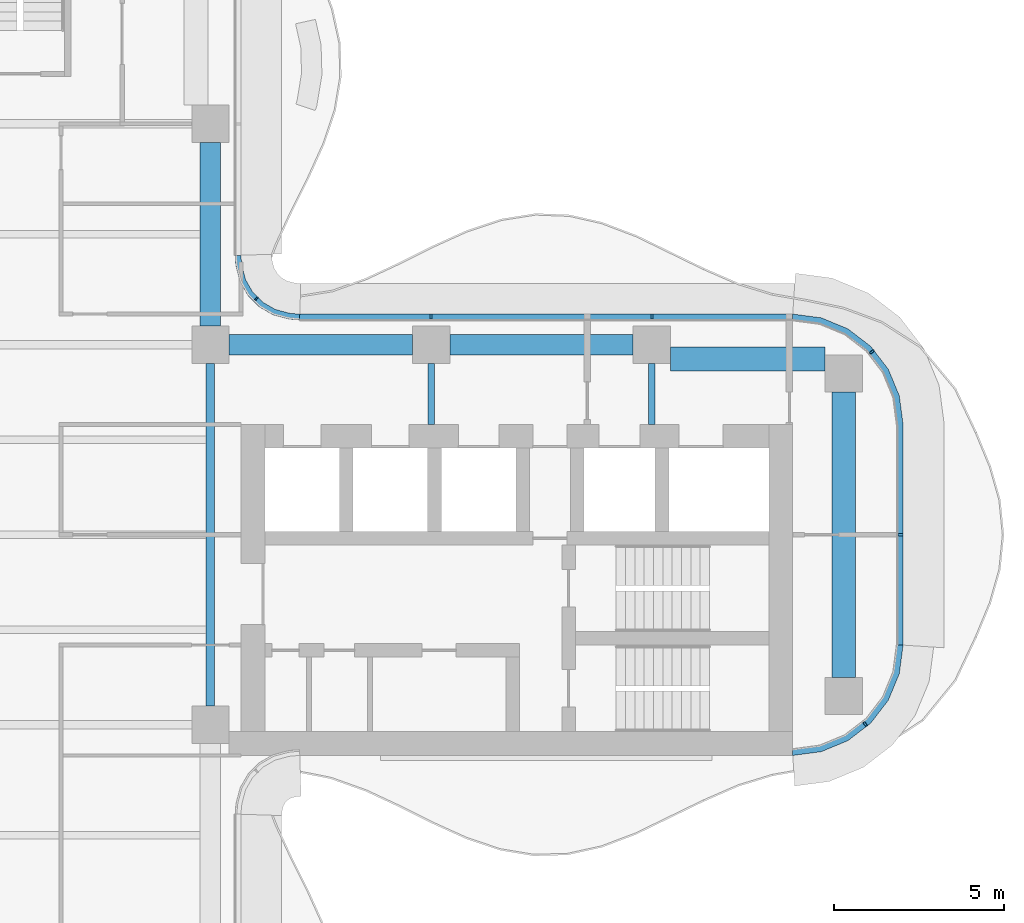
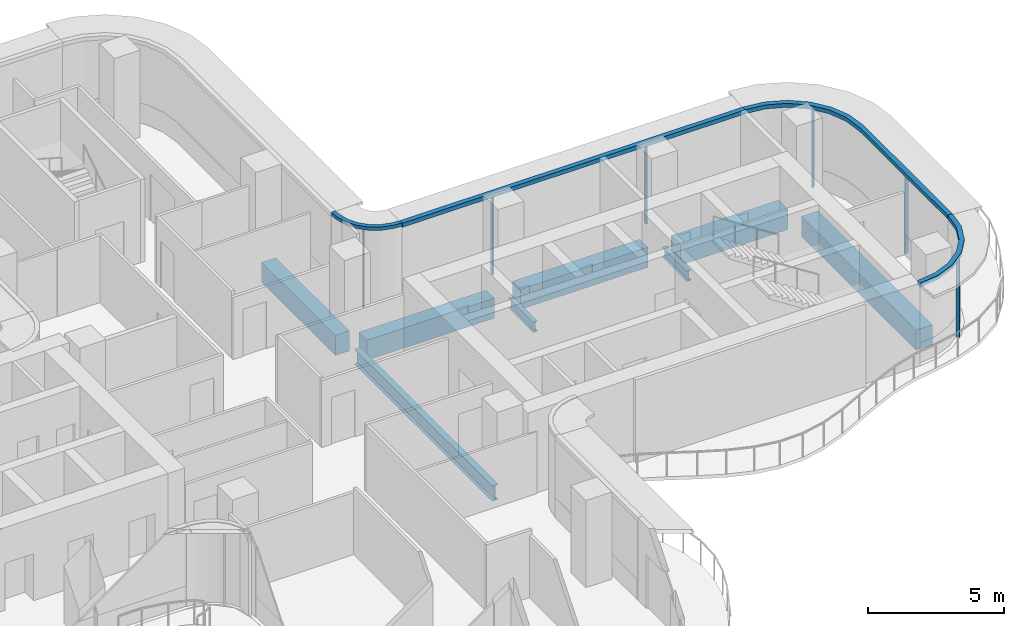
# One storey, part 6 of 16: 10 members, 8 beams, 4 elements without a shape of their own.
"""IFC4 building model written with IfcOpenShell, lengths in metres."""

from ifc_helpers import new_model, si_unit, direction, frame, origin, origin_2d, place, context, subcontext, project, spatial, polyline, rectangle, i_section, outline, extrude, source, transform, mapped, material, layer, layer_set, material_profile, profile_set, type_object, element, aggregate, save


model = new_model("IFC4")

# Units and contexts
model_context = context("Model", 3, precision=1e-05, world=origin(), true_north=direction((0.0, 1.0)))
body_context = subcontext(model_context, "Body", "Model", "MODEL_VIEW")
ifc_project = project(units=[si_unit("LENGTHUNIT", "METRE"), si_unit("AREAUNIT", "SQUARE_METRE"), si_unit("VOLUMEUNIT", "CUBIC_METRE"), si_unit("PLANEANGLEUNIT", "RADIAN"), si_unit("MASSUNIT", "GRAM", prefix="KILO")], contexts=[model_context])

# Site, building, storey
site_placement = place(None, origin())
site = spatial("IfcSite", under=ifc_project, at=site_placement, CompositionType="ELEMENT")
building_placement = place(site_placement, origin())
building = spatial("IfcBuilding", under=site, at=building_placement, Name="Trellis Farm Tower", CompositionType="ELEMENT")
storey_placement = place(building_placement, frame((0.0, 0.0, 251.89990234375)))
storey = spatial("IfcBuildingStorey", under=building, at=storey_placement, Name="L56", CompositionType="ELEMENT", Elevation=251.89990234375)

# Beams
ifc_material_1 = material(Name="Steel S355", Category="steel")
ifc_material_profile_1 = material_profile(ifc_material_1, i_section(OverallWidth=0.253662109375, OverallDepth=0.68359375, WebThickness=0.012451171875, FlangeThickness=0.021728515625, FilletRadius=0.01513671875, at=origin_2d()), Name="UB 686x254x140")
ifc_profile_set_1 = profile_set([ifc_material_profile_1], Name="Steel S355")
beam_type_1 = type_object("IfcBeamType", Name="UB 686x254x140", PredefinedType="BEAM", material=ifc_profile_set_1)
shared_shape_1 = source(origin(), body_context, "Body", "SweptSolid", [
    extrude(i_section(OverallWidth=0.253662109375, OverallDepth=0.68359375, WebThickness=0.012451171875, FlangeThickness=0.021728515625, FilletRadius=0.01513671875, at=origin_2d()), origin(), (0.0, 0.0, 1.0), 10.10009765625),
])
beam_1_placement = place(storey_placement, frame((5.60009765625, -5.050048828125, -0.54150390625), z_axis=(0.0, 1.0, 0.0), x_axis=(-1.0, 0.0, 0.0)))
element("IfcBeam", 1, at=beam_1_placement, inside=storey, type_object=beam_type_1, Name="Girder", PredefinedType="BEAM", context=body_context, shape_type="MappedRepresentation", body=[
    mapped(shared_shape_1, transform((0.0, 0.0, 0.0))),
])
ifc_material_profile_2 = material_profile(ifc_material_1, i_section(OverallWidth=0.1904296875, OverallDepth=0.45703125, WebThickness=0.009033203125, FlangeThickness=0.014404296875, FilletRadius=0.01025390625, at=origin_2d()), Name="UB 457x191x74")
ifc_profile_set_2 = profile_set([ifc_material_profile_2], Name="Steel S355")
beam_type_2 = type_object("IfcBeamType", Name="UB 457x191x74", PredefinedType="BEAM", material=ifc_profile_set_2)
shared_shape_2 = source(origin(), body_context, "Body", "SweptSolid", [
    extrude(i_section(OverallWidth=0.1904296875, OverallDepth=0.45703125, WebThickness=0.009033203125, FlangeThickness=0.014404296875, FilletRadius=0.01025390625, at=origin_2d()), origin(), (0.0, 0.0, 1.0), 1.800048828125),
])
for number, where, z_axis, x_axis, name in (
    (2, (12.10009765625, 3.25, -0.428466796875), (0.0, 1.0, 0.0), (-1.0, 0.0, 0.0), "Girder"),
    (3, (18.60009765625, 3.25, -0.428466796875), (0.0, 1.0, 0.0), (-1.0, 0.0, 0.0), "Girder"),
):
    element("IfcBeam", number, at=place(storey_placement, frame(where, z_axis=z_axis, x_axis=x_axis)), inside=storey, type_object=beam_type_2, Name=name, PredefinedType="BEAM", context=body_context, shape_type="MappedRepresentation", body=[
        mapped(shared_shape_2, transform((0.0, 0.0, 0.0))),
    ])
ifc_material_2 = material(Name="Concrete C60/75", Category="concrete")
ifc_material_profile_3 = material_profile(ifc_material_2, rectangle(XDim=0.60009765625, YDim=0.89990234375, at=origin_2d()), Name="RC spandrel beam 600x900 C60/75")
ifc_profile_set_3 = profile_set([ifc_material_profile_3], Name="Concrete C60/75")
beam_type_3 = type_object("IfcBeamType", Name="RC spandrel beam 600x900 C60/75", PredefinedType="SPANDREL", material=ifc_profile_set_3)
shared_shape_3 = source(origin(), body_context, "Body", "SweptSolid", [
    extrude(rectangle(XDim=0.60009765625, YDim=0.89990234375, at=origin_2d()), origin(), (0.0, 0.0, 1.0), 5.400146484375),
])
for number, where, z_axis, x_axis, name in (
    (4, (6.14990234375, 5.60009765625, -0.64990234375), (1.0, 0.0, 0.0), (0.0, 1.0, 0.0), "Girder"),
    (5, (12.64990234375, 5.60009765625, -0.64990234375), (1.0, 0.0, 0.0), (0.0, 1.0, 0.0), "Girder"),
    (6, (5.60009765625, 6.14990234375, -0.64990234375), (0.0, 1.0, 0.0), (-1.0, 0.0, 0.0), "Girder"),
):
    element("IfcBeam", number, at=place(storey_placement, frame(where, z_axis=z_axis, x_axis=x_axis)), inside=storey, type_object=beam_type_3, Name=name, PredefinedType="SPANDREL", context=body_context, shape_type="MappedRepresentation", body=[
        mapped(shared_shape_3, transform((0.0, 0.0, 0.0))),
    ])
ifc_material_profile_4 = material_profile(ifc_material_2, rectangle(XDim=0.699951171875, YDim=0.89990234375, at=origin_2d()), Name="RC spandrel beam 700x900 C60/75")
ifc_profile_set_4 = profile_set([ifc_material_profile_4], Name="Concrete C60/75")
beam_type_4 = type_object("IfcBeamType", Name="RC spandrel beam 700x900 C60/75", PredefinedType="SPANDREL", material=ifc_profile_set_4)
shared_shape_4 = source(origin(), body_context, "Body", "SweptSolid", [
    extrude(rectangle(XDim=0.699951171875, YDim=0.89990234375, at=origin_2d()), origin(), (0.0, 0.0, 1.0), 8.39990234375),
])
beam_2_placement = place(storey_placement, frame((24.25, -4.199951171875, -0.64990234375), z_axis=(0.0, 1.0, 0.0), x_axis=(-1.0, 0.0, 0.0)))
element("IfcBeam", 7, at=beam_2_placement, inside=storey, type_object=beam_type_4, Name="Girder", PredefinedType="SPANDREL", context=body_context, shape_type="MappedRepresentation", body=[
    mapped(shared_shape_4, transform((0.0, 0.0, 0.0))),
])
shared_shape_5 = source(origin(), body_context, "Body", "SweptSolid", [
    extrude(rectangle(XDim=0.699951171875, YDim=0.89990234375, at=origin_2d()), origin(), (0.0, 0.0, 1.0), 4.550048828125),
])
beam_3_placement = place(storey_placement, frame((19.14990234375, 5.175048828125, -0.64990234375), z_axis=(1.0, 0.0, 0.0), x_axis=(0.0, 1.0, 0.0)))
element("IfcBeam", 8, at=beam_3_placement, inside=storey, type_object=beam_type_4, Name="Girder", PredefinedType="SPANDREL", context=body_context, shape_type="MappedRepresentation", body=[
    mapped(shared_shape_5, transform((0.0, 0.0, 0.0))),
])

# Curtain wall, member
ifc_material_3 = material(Name="Aluminium and glass curtain wall", Category="aluminium")
ifc_layer_1 = layer(ifc_material_3, 0.18994140625)
ifc_layer_set_1 = layer_set([ifc_layer_1], Name="RIBBON CURTAIN WALL CW1")
curtain_wall_type_1 = type_object("IfcCurtainWallType", Name="RIBBON CURTAIN WALL CW1", PredefinedType="NOTDEFINED", material=ifc_layer_set_1)
placement_1 = place(storey_placement, origin())
curtain_wall_1 = element("IfcCurtainWall", 9, at=placement_1, inside=storey, type_object=curtain_wall_type_1, Name="CW1 006", PredefinedType="NOTDEFINED")
ifc_material_4 = material(Name="Aluminium extrusion 6063-T6", Category="aluminium")
ifc_material_profile_5 = material_profile(ifc_material_4, rectangle(XDim=0.06005859375, YDim=0.14990234375, at=origin_2d()), Name="MULLION 60x150")
ifc_profile_set_5 = profile_set([ifc_material_profile_5], Name="Aluminium extrusion 6063-T6")
member_type_1 = type_object("IfcMemberType", Name="CW1 MULLION 60x150", PredefinedType="MULLION", material=ifc_profile_set_5)
shared_shape_6 = source(origin(), body_context, "Body", "SweptSolid", [
    extrude(rectangle(XDim=0.06005859375, YDim=0.14990234375, at=origin_2d()), origin(), (0.0, 0.0, 1.0), 3.52001953125),
])
member_1_placement = place(storey_placement, frame((24.885498046875, -5.578369140625, 0.0), z_axis=(0.0, 0.0, 1.0), x_axis=(0.793353340291, 0.608761429009, 0.0)))
member_1 = element("IfcMember", 10, at=member_1_placement, type_object=member_type_1, Name="MU1 006-01", PredefinedType="MULLION", context=body_context, shape_type="MappedRepresentation", body=[
    mapped(shared_shape_6, transform((0.0, 0.0, 0.0))),
])

# Curtain wall, members
curtain_wall_2 = element("IfcCurtainWall", 11, at=placement_1, inside=storey, type_object=curtain_wall_type_1, Name="CW1 007", PredefinedType="NOTDEFINED")
member_2_placement = place(storey_placement, frame((25.925048828125, 0.0, 0.0), z_axis=(0.0, 0.0, 1.0), x_axis=(0.0, 1.0, 0.0)))
member_2 = element("IfcMember", 12, at=member_2_placement, type_object=member_type_1, Name="MU1 007-01", PredefinedType="MULLION", context=body_context, shape_type="MappedRepresentation", body=[
    mapped(shared_shape_6, transform((0.0, 0.0, 0.0))),
])
member_3_placement = place(storey_placement, frame((25.078369140625, 5.385498046875, 0.0), z_axis=(0.0, 0.0, 1.0), x_axis=(-0.608761429009, 0.793353340291, 0.0)))
member_3 = element("IfcMember", 13, at=member_3_placement, type_object=member_type_1, Name="MU1 007-02", PredefinedType="MULLION", context=body_context, shape_type="MappedRepresentation", body=[
    mapped(shared_shape_6, transform((0.0, 0.0, 0.0))),
])

curtain_wall_3 = element("IfcCurtainWall", 14, at=placement_1, inside=storey, type_object=curtain_wall_type_1, Name="CW1 008", PredefinedType="NOTDEFINED")
member_4_placement = place(storey_placement, frame((18.60009765625, 6.425048828125, 0.0), z_axis=(0.0, 0.0, 1.0), x_axis=(-1.0, 0.0, 0.0)))
member_4 = element("IfcMember", 15, at=member_4_placement, type_object=member_type_1, Name="MU1 008-01", PredefinedType="MULLION", context=body_context, shape_type="MappedRepresentation", body=[
    mapped(shared_shape_6, transform((0.0, 0.0, 0.0))),
])
member_5_placement = place(storey_placement, frame((12.10009765625, 6.425048828125, 0.0), z_axis=(0.0, 0.0, 1.0), x_axis=(-1.0, 0.0, 0.0)))
member_5 = element("IfcMember", 16, at=member_5_placement, type_object=member_type_1, Name="MU1 008-02", PredefinedType="MULLION", context=body_context, shape_type="MappedRepresentation", body=[
    mapped(shared_shape_6, transform((0.0, 0.0, 0.0))),
])

ifc_layer_2 = layer(ifc_material_3, 0.166015625)
ifc_layer_set_2 = layer_set([ifc_layer_2], Name="WINTER GARDEN CURTAIN WALL CW3")
curtain_wall_type_2 = type_object("IfcCurtainWallType", Name="WINTER GARDEN CURTAIN WALL CW3", PredefinedType="NOTDEFINED", material=ifc_layer_set_2)
curtain_wall_4 = element("IfcCurtainWall", 17, at=placement_1, inside=storey, type_object=curtain_wall_type_2, Name="CW3 003", PredefinedType="NOTDEFINED")
ifc_material_profile_6 = material_profile(ifc_material_4, rectangle(XDim=0.050048828125, YDim=0.1201171875, at=origin_2d()), Name="MULLION 50x120")
ifc_profile_set_6 = profile_set([ifc_material_profile_6], Name="Aluminium extrusion 6063-T6")
member_type_2 = type_object("IfcMemberType", Name="CW3 MULLION 50x120", PredefinedType="MULLION", material=ifc_profile_set_6)
shared_shape_7 = source(origin(), body_context, "Body", "SweptSolid", [
    extrude(rectangle(XDim=0.050048828125, YDim=0.1201171875, at=origin_2d()), origin(), (0.0, 0.0, 1.0), 3.550048828125),
])
member_6_placement = place(storey_placement, frame((6.953125, 6.953125, 0.0), z_axis=(0.0, 0.0, 1.0), x_axis=(-0.707106781187, 0.707106781187, 0.0)))
member_6 = element("IfcMember", 18, at=member_6_placement, type_object=member_type_2, Name="MU3 003-01", PredefinedType="MULLION", context=body_context, shape_type="MappedRepresentation", body=[
    mapped(shared_shape_7, transform((0.0, 0.0, 0.0))),
])
ifc_layer_3 = layer(ifc_material_4, 0.169921875)
ifc_layer_set_3 = layer_set([ifc_layer_3], Name="Aluminium extrusion 6063-T6")
member_type_3 = type_object("IfcMemberType", Name="CW3 TRANSOM 170x150", PredefinedType="USERDEFINED", material=ifc_layer_set_3)
shared_shape_8 = source(origin(), body_context, "Body", "SweptSolid", [
    extrude(outline(polyline([(8.2314453125, 6.5), (8.01953125, 6.513916015625), (7.91552734375, 6.527587890625), (7.508544921875, 6.63671875), (7.144287109375, 6.846923828125), (6.846923828125, 7.144287109375), (6.63671875, 7.508544921875), (6.527587890625, 7.91552734375), (6.513916015625, 8.01953125), (6.5, 8.2314453125), (6.330078125, 8.225830078125), (6.3447265625, 8.0029296875), (6.360595703125, 7.88232421875), (6.478271484375, 7.44287109375), (6.7109375, 7.0400390625), (7.0400390625, 6.7109375), (7.44287109375, 6.478271484375), (7.88232421875, 6.360595703125), (8.0029296875, 6.3447265625), (8.225830078125, 6.330078125), (8.2314453125, 6.5)])), origin(), (0.0, 0.0, 1.0), 0.150146484375),
])
member_7_placement = place(storey_placement, frame((0.0, 0.0, 3.550048828125)))
member_7 = element("IfcMember", 19, at=member_7_placement, type_object=member_type_3, Name="TR3 003", ObjectType="TRANSOM", PredefinedType="USERDEFINED", context=body_context, shape_type="MappedRepresentation", body=[
    mapped(shared_shape_8, transform((0.0, 0.0, 0.0))),
])
aggregate(curtain_wall_4, [member_6, member_7])

# Member
ifc_layer_4 = layer(ifc_material_4, 0.199951171875)
ifc_layer_set_4 = layer_set([ifc_layer_4], Name="Aluminium extrusion 6063-T6")
member_type_4 = type_object("IfcMemberType", Name="CW1 TRANSOM 200x180", PredefinedType="USERDEFINED", material=ifc_layer_set_4)
shared_shape_9 = source(origin(), body_context, "Body", "SweptSolid", [
    extrude(outline(polyline([(22.75, -6.5), (23.591064453125, -6.38916015625), (24.375, -6.064697265625), (25.048095703125, -5.548095703125), (25.564697265625, -4.875), (25.88916015625, -4.091064453125), (26.0, -3.25), (25.800048828125, -3.23681640625), (25.6943359375, -4.0390625), (25.389892578125, -4.774169921875), (24.905517578125, -5.405517578125), (24.274169921875, -5.889892578125), (23.5390625, -6.1943359375), (22.73681640625, -6.300048828125), (22.75, -6.5)])), origin(), (0.0, 0.0, 1.0), 0.18017578125),
])
placement_2 = place(storey_placement, frame((0.0, 0.0, 3.52001953125)))
member_8 = element("IfcMember", 20, at=placement_2, type_object=member_type_4, Name="TR1 006", ObjectType="TRANSOM", PredefinedType="USERDEFINED", context=body_context, shape_type="MappedRepresentation", body=[
    mapped(shared_shape_9, transform((0.0, 0.0, 0.0))),
])

aggregate(curtain_wall_1, [member_1, member_8])

shared_shape_10 = source(origin(), body_context, "Body", "SweptSolid", [
    extrude(outline(polyline([(26.0, -3.25), (26.0, 3.25), (25.88916015625, 4.091064453125), (25.564697265625, 4.875), (25.048095703125, 5.548095703125), (24.375, 6.064697265625), (23.591064453125, 6.38916015625), (22.75, 6.5), (22.73681640625, 6.300048828125), (23.5390625, 6.1943359375), (24.274169921875, 5.889892578125), (24.905517578125, 5.405517578125), (25.389892578125, 4.774169921875), (25.6943359375, 4.0390625), (25.800048828125, 3.23681640625), (25.800048828125, -3.23681640625), (26.0, -3.25)])), origin(), (0.0, 0.0, 1.0), 0.18017578125),
])
member_9 = element("IfcMember", 21, at=placement_2, type_object=member_type_4, Name="TR1 007", ObjectType="TRANSOM", PredefinedType="USERDEFINED", context=body_context, shape_type="MappedRepresentation", body=[
    mapped(shared_shape_10, transform((0.0, 0.0, 0.0))),
])

aggregate(curtain_wall_2, [member_2, member_3, member_9])

shared_shape_11 = source(origin(), body_context, "Body", "SweptSolid", [
    extrude(outline(polyline([(22.75, 6.5), (8.2314453125, 6.5), (8.224853515625, 6.300048828125), (22.73681640625, 6.300048828125), (22.75, 6.5)])), origin(), (0.0, 0.0, 1.0), 0.18017578125),
])
member_10 = element("IfcMember", 22, at=placement_2, type_object=member_type_4, Name="TR1 008", ObjectType="TRANSOM", PredefinedType="USERDEFINED", context=body_context, shape_type="MappedRepresentation", body=[
    mapped(shared_shape_11, transform((0.0, 0.0, 0.0))),
])

aggregate(curtain_wall_3, [member_4, member_5, member_10])

save(model, "model.ifc")
